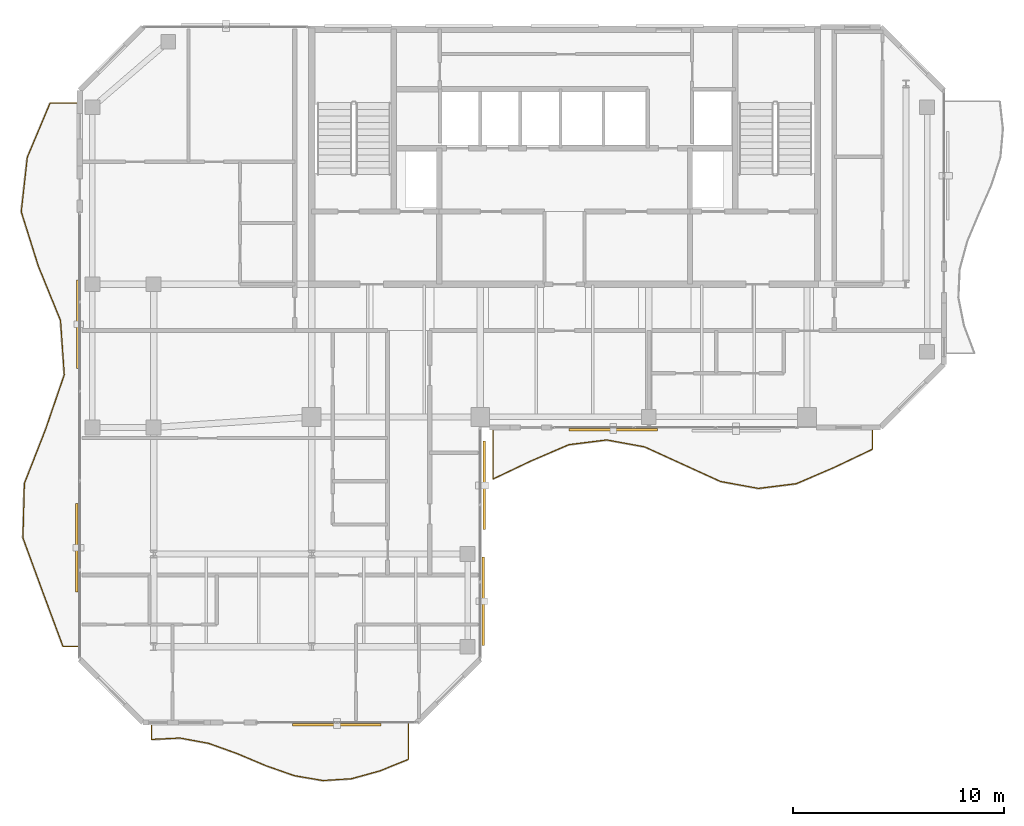
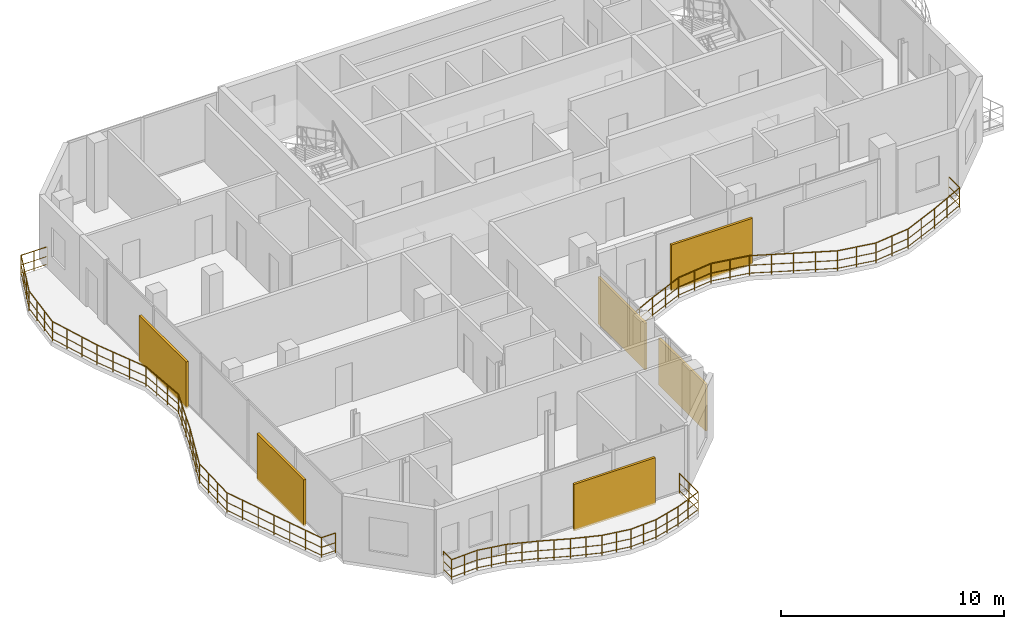
# One storey, part 21 of 23: 6 shading devices, 3 railings.
"""IFC4 building model written with IfcOpenShell, lengths in metres."""

from ifc_helpers import new_model, si_unit, direction, frame, origin, origin_2d, place, context, subcontext, project, spatial, rectangle, circle, extrude, material, type_object, element, save


model = new_model("IFC4")

# Units and contexts
model_context = context("Model", 3, precision=1e-05, world=origin(), true_north=direction((0.0, 1.0)))
body_context = subcontext(model_context, "Body", "Model", "MODEL_VIEW")
ifc_project = project(units=[si_unit("LENGTHUNIT", "METRE"), si_unit("AREAUNIT", "SQUARE_METRE"), si_unit("VOLUMEUNIT", "CUBIC_METRE"), si_unit("PLANEANGLEUNIT", "RADIAN"), si_unit("MASSUNIT", "GRAM", prefix="KILO")], contexts=[model_context])

# Site, building, storey
site_placement = place(None, origin())
site = spatial("IfcSite", under=ifc_project, at=site_placement, CompositionType="ELEMENT")
building_placement = place(site_placement, origin())
building = spatial("IfcBuilding", under=site, at=building_placement, Name="Catumbela Crestline Tower", CompositionType="ELEMENT")
storey_placement = place(building_placement, frame((0.0, 0.0, 252.6)))
storey = spatial("IfcBuildingStorey", under=building, at=storey_placement, Name="L65", CompositionType="ELEMENT", Elevation=252.6)

# Railings
ifc_material_1 = material(Name="Stainless steel EN 1.4401", Category="steel")
railing_type = type_object("IfcRailingType", Name="RB-1100", PredefinedType="BALUSTRADE", material=ifc_material_1)
railing_1_placement = place(storey_placement, frame((24.6, 23.94, 0.0)))
element("IfcRailing", 1, at=railing_1_placement, inside=storey, type_object=railing_type, Name="L65 Private Wave Balcony Balustrade 1", PredefinedType="BALUSTRADE", context=body_context, shape_type="SweptSolid", body=[
    extrude(circle(Radius=0.024, at=origin_2d()), frame((0.0, 0.0, 1.076), z_axis=(0.0, -1.0, 0.0), x_axis=(1.0, 0.0, 0.0)), (0.0, 0.0, 1.0), 2.3853),
    extrude(circle(Radius=0.0156, at=origin_2d()), frame((0.0, 0.0, 0.55), z_axis=(0.0, -1.0, 0.0), x_axis=(1.0, 0.0, 0.0)), (0.0, 0.0, 1.0), 2.3853),
    extrude(circle(Radius=0.0156, at=origin_2d()), frame((0.0, 0.0, 0.12), z_axis=(0.0, -1.0, 0.0), x_axis=(1.0, 0.0, 0.0)), (0.0, 0.0, 1.0), 2.3853),
    extrude(circle(Radius=0.024, at=origin_2d()), frame((0.0, -2.3853, 1.076), z_axis=(0.903141340366, 0.429343358306, 0.0), x_axis=(-0.429343358306, 0.903141340366, 0.0)), (0.0, 0.0, 1.0), 1.993),
    extrude(circle(Radius=0.0156, at=origin_2d()), frame((0.0, -2.3853, 0.55), z_axis=(0.903141340366, 0.429343358306, 0.0), x_axis=(-0.429343358306, 0.903141340366, 0.0)), (0.0, 0.0, 1.0), 1.993),
    extrude(circle(Radius=0.0156, at=origin_2d()), frame((0.0, -2.3853, 0.12), z_axis=(0.903141340366, 0.429343358306, 0.0), x_axis=(-0.429343358306, 0.903141340366, 0.0)), (0.0, 0.0, 1.0), 1.993),
    extrude(circle(Radius=0.024, at=origin_2d()), frame((1.8, -1.5296, 1.076), z_axis=(0.91863214227, 0.395113891414, 0.0), x_axis=(-0.395113891414, 0.91863214227, 0.0)), (0.0, 0.0, 1.0), 1.9594),
    extrude(circle(Radius=0.0156, at=origin_2d()), frame((1.8, -1.5296, 0.55), z_axis=(0.91863214227, 0.395113891414, 0.0), x_axis=(-0.395113891414, 0.91863214227, 0.0)), (0.0, 0.0, 1.0), 1.9594),
    extrude(circle(Radius=0.0156, at=origin_2d()), frame((1.8, -1.5296, 0.12), z_axis=(0.91863214227, 0.395113891414, 0.0), x_axis=(-0.395113891414, 0.91863214227, 0.0)), (0.0, 0.0, 1.0), 1.9594),
    extrude(circle(Radius=0.024, at=origin_2d()), frame((3.6, -0.7554, 1.076), z_axis=(0.992250714481, 0.124251839469, 0.0), x_axis=(-0.124251839469, 0.992250714481, 0.0)), (0.0, 0.0, 1.0), 1.8141),
    extrude(circle(Radius=0.0156, at=origin_2d()), frame((3.6, -0.7554, 0.55), z_axis=(0.992250714481, 0.124251839469, 0.0), x_axis=(-0.124251839469, 0.992250714481, 0.0)), (0.0, 0.0, 1.0), 1.8141),
    extrude(circle(Radius=0.0156, at=origin_2d()), frame((3.6, -0.7554, 0.12), z_axis=(0.992250714481, 0.124251839469, 0.0), x_axis=(-0.124251839469, 0.992250714481, 0.0)), (0.0, 0.0, 1.0), 1.8141),
    extrude(circle(Radius=0.024, at=origin_2d()), frame((5.4, -0.53, 1.076), z_axis=(0.983751645667, -0.179534675334, 0.0), x_axis=(0.179534675334, 0.983751645667, 0.0)), (0.0, 0.0, 1.0), 1.8297),
    extrude(circle(Radius=0.0156, at=origin_2d()), frame((5.4, -0.53, 0.55), z_axis=(0.983751645667, -0.179534675334, 0.0), x_axis=(0.179534675334, 0.983751645667, 0.0)), (0.0, 0.0, 1.0), 1.8297),
    extrude(circle(Radius=0.0156, at=origin_2d()), frame((5.4, -0.53, 0.12), z_axis=(0.983751645667, -0.179534675334, 0.0), x_axis=(0.179534675334, 0.983751645667, 0.0)), (0.0, 0.0, 1.0), 1.8297),
    extrude(circle(Radius=0.024, at=origin_2d()), frame((7.2, -0.8585, 1.076), z_axis=(0.909733657009, -0.415192332907, 0.0), x_axis=(0.415192332907, 0.909733657009, 0.0)), (0.0, 0.0, 1.0), 1.9786),
    extrude(circle(Radius=0.0156, at=origin_2d()), frame((7.2, -0.8585, 0.55), z_axis=(0.909733657009, -0.415192332907, 0.0), x_axis=(0.415192332907, 0.909733657009, 0.0)), (0.0, 0.0, 1.0), 1.9786),
    extrude(circle(Radius=0.0156, at=origin_2d()), frame((7.2, -0.8585, 0.12), z_axis=(0.909733657009, -0.415192332907, 0.0), x_axis=(0.415192332907, 0.909733657009, 0.0)), (0.0, 0.0, 1.0), 1.9786),
    extrude(circle(Radius=0.024, at=origin_2d()), frame((9.0, -1.68, 1.076), z_axis=(0.909733657009, -0.415192332907, 0.0), x_axis=(0.415192332907, 0.909733657009, 0.0)), (0.0, 0.0, 1.0), 1.9786),
    extrude(circle(Radius=0.0156, at=origin_2d()), frame((9.0, -1.68, 0.55), z_axis=(0.909733657009, -0.415192332907, 0.0), x_axis=(0.415192332907, 0.909733657009, 0.0)), (0.0, 0.0, 1.0), 1.9786),
    extrude(circle(Radius=0.0156, at=origin_2d()), frame((9.0, -1.68, 0.12), z_axis=(0.909733657009, -0.415192332907, 0.0), x_axis=(0.415192332907, 0.909733657009, 0.0)), (0.0, 0.0, 1.0), 1.9786),
    extrude(circle(Radius=0.024, at=origin_2d()), frame((10.8, -2.5015, 1.076), z_axis=(0.983751645667, -0.179534675334, 0.0), x_axis=(0.179534675334, 0.983751645667, 0.0)), (0.0, 0.0, 1.0), 1.8297),
    extrude(circle(Radius=0.0156, at=origin_2d()), frame((10.8, -2.5015, 0.55), z_axis=(0.983751645667, -0.179534675334, 0.0), x_axis=(0.179534675334, 0.983751645667, 0.0)), (0.0, 0.0, 1.0), 1.8297),
    extrude(circle(Radius=0.0156, at=origin_2d()), frame((10.8, -2.5015, 0.12), z_axis=(0.983751645667, -0.179534675334, 0.0), x_axis=(0.179534675334, 0.983751645667, 0.0)), (0.0, 0.0, 1.0), 1.8297),
    extrude(circle(Radius=0.024, at=origin_2d()), frame((12.6, -2.83, 1.076), z_axis=(0.992250714481, 0.124251839469, 0.0), x_axis=(-0.124251839469, 0.992250714481, 0.0)), (0.0, 0.0, 1.0), 1.8141),
    extrude(circle(Radius=0.0156, at=origin_2d()), frame((12.6, -2.83, 0.55), z_axis=(0.992250714481, 0.124251839469, 0.0), x_axis=(-0.124251839469, 0.992250714481, 0.0)), (0.0, 0.0, 1.0), 1.8141),
    extrude(circle(Radius=0.0156, at=origin_2d()), frame((12.6, -2.83, 0.12), z_axis=(0.992250714481, 0.124251839469, 0.0), x_axis=(-0.124251839469, 0.992250714481, 0.0)), (0.0, 0.0, 1.0), 1.8141),
    extrude(circle(Radius=0.024, at=origin_2d()), frame((14.4, -2.6046, 1.076), z_axis=(0.91863214227, 0.395113891414, 0.0), x_axis=(-0.395113891414, 0.91863214227, 0.0)), (0.0, 0.0, 1.0), 1.9594),
    extrude(circle(Radius=0.0156, at=origin_2d()), frame((14.4, -2.6046, 0.55), z_axis=(0.91863214227, 0.395113891414, 0.0), x_axis=(-0.395113891414, 0.91863214227, 0.0)), (0.0, 0.0, 1.0), 1.9594),
    extrude(circle(Radius=0.0156, at=origin_2d()), frame((14.4, -2.6046, 0.12), z_axis=(0.91863214227, 0.395113891414, 0.0), x_axis=(-0.395113891414, 0.91863214227, 0.0)), (0.0, 0.0, 1.0), 1.9594),
    extrude(circle(Radius=0.024, at=origin_2d()), frame((16.2, -1.8304, 1.076), z_axis=(0.903141340366, 0.429343358306, 0.0), x_axis=(-0.429343358306, 0.903141340366, 0.0)), (0.0, 0.0, 1.0), 1.993),
    extrude(circle(Radius=0.0156, at=origin_2d()), frame((16.2, -1.8304, 0.55), z_axis=(0.903141340366, 0.429343358306, 0.0), x_axis=(-0.429343358306, 0.903141340366, 0.0)), (0.0, 0.0, 1.0), 1.993),
    extrude(circle(Radius=0.0156, at=origin_2d()), frame((16.2, -1.8304, 0.12), z_axis=(0.903141340366, 0.429343358306, 0.0), x_axis=(-0.429343358306, 0.903141340366, 0.0)), (0.0, 0.0, 1.0), 1.993),
    extrude(circle(Radius=0.024, at=origin_2d()), frame((18.0, -0.9747, 1.076), z_axis=(0.0, 1.0, 0.0), x_axis=(-1.0, 0.0, 0.0)), (0.0, 0.0, 1.0), 0.9747),
    extrude(circle(Radius=0.0156, at=origin_2d()), frame((18.0, -0.9747, 0.55), z_axis=(0.0, 1.0, 0.0), x_axis=(-1.0, 0.0, 0.0)), (0.0, 0.0, 1.0), 0.9747),
    extrude(circle(Radius=0.0156, at=origin_2d()), frame((18.0, -0.9747, 0.12), z_axis=(0.0, 1.0, 0.0), x_axis=(-1.0, 0.0, 0.0)), (0.0, 0.0, 1.0), 0.9747),
    extrude(circle(Radius=0.021, at=origin_2d()), origin(), (0.0, 0.0, 1.0), 1.052),
    extrude(circle(Radius=0.021, at=origin_2d()), frame((0.0, -1.1927, 0.0)), (0.0, 0.0, 1.0), 1.052),
    extrude(circle(Radius=0.021, at=origin_2d()), frame((0.0, -2.3853, 0.0)), (0.0, 0.0, 1.0), 1.052),
    extrude(circle(Radius=0.021, at=origin_2d()), frame((0.9, -1.9575, 0.0)), (0.0, 0.0, 1.0), 1.052),
    extrude(circle(Radius=0.021, at=origin_2d()), frame((1.8, -1.5296, 0.0)), (0.0, 0.0, 1.0), 1.052),
    extrude(circle(Radius=0.021, at=origin_2d()), frame((2.7, -1.1425, 0.0)), (0.0, 0.0, 1.0), 1.052),
    extrude(circle(Radius=0.021, at=origin_2d()), frame((3.6, -0.7554, 0.0)), (0.0, 0.0, 1.0), 1.052),
    extrude(circle(Radius=0.021, at=origin_2d()), frame((4.5, -0.6427, 0.0)), (0.0, 0.0, 1.0), 1.052),
    extrude(circle(Radius=0.021, at=origin_2d()), frame((5.4, -0.53, 0.0)), (0.0, 0.0, 1.0), 1.052),
    extrude(circle(Radius=0.021, at=origin_2d()), frame((6.3, -0.6943, 0.0)), (0.0, 0.0, 1.0), 1.052),
    extrude(circle(Radius=0.021, at=origin_2d()), frame((7.2, -0.8585, 0.0)), (0.0, 0.0, 1.0), 1.052),
    extrude(circle(Radius=0.021, at=origin_2d()), frame((8.1, -1.2693, 0.0)), (0.0, 0.0, 1.0), 1.052),
    extrude(circle(Radius=0.021, at=origin_2d()), frame((9.0, -1.68, 0.0)), (0.0, 0.0, 1.0), 1.052),
    extrude(circle(Radius=0.021, at=origin_2d()), frame((9.9, -2.0908, 0.0)), (0.0, 0.0, 1.0), 1.052),
    extrude(circle(Radius=0.021, at=origin_2d()), frame((10.8, -2.5015, 0.0)), (0.0, 0.0, 1.0), 1.052),
    extrude(circle(Radius=0.021, at=origin_2d()), frame((11.7, -2.6658, 0.0)), (0.0, 0.0, 1.0), 1.052),
    extrude(circle(Radius=0.021, at=origin_2d()), frame((12.6, -2.83, 0.0)), (0.0, 0.0, 1.0), 1.052),
    extrude(circle(Radius=0.021, at=origin_2d()), frame((13.5, -2.7173, 0.0)), (0.0, 0.0, 1.0), 1.052),
    extrude(circle(Radius=0.021, at=origin_2d()), frame((14.4, -2.6046, 0.0)), (0.0, 0.0, 1.0), 1.052),
    extrude(circle(Radius=0.021, at=origin_2d()), frame((15.3, -2.2175, 0.0)), (0.0, 0.0, 1.0), 1.052),
    extrude(circle(Radius=0.021, at=origin_2d()), frame((16.2, -1.8304, 0.0)), (0.0, 0.0, 1.0), 1.052),
    extrude(circle(Radius=0.021, at=origin_2d()), frame((17.1, -1.4026, 0.0)), (0.0, 0.0, 1.0), 1.052),
    extrude(circle(Radius=0.021, at=origin_2d()), frame((18.0, -0.9747, 0.0)), (0.0, 0.0, 1.0), 1.052),
    extrude(circle(Radius=0.021, at=origin_2d()), frame((18.0, 0.0, 0.0)), (0.0, 0.0, 1.0), 1.052),
])
railing_2_placement = place(storey_placement, frame((8.4, 9.94, 0.0)))
element("IfcRailing", 2, at=railing_2_placement, inside=storey, type_object=railing_type, Name="L65 Private Wave Balcony Balustrade 3", PredefinedType="BALUSTRADE", context=body_context, shape_type="SweptSolid", body=[
    extrude(circle(Radius=0.024, at=origin_2d()), frame((0.0, 0.0, 1.076), z_axis=(0.0, -1.0, 0.0), x_axis=(1.0, 0.0, 0.0)), (0.0, 0.0, 1.0), 0.7402),
    extrude(circle(Radius=0.0156, at=origin_2d()), frame((0.0, 0.0, 0.55), z_axis=(0.0, -1.0, 0.0), x_axis=(1.0, 0.0, 0.0)), (0.0, 0.0, 1.0), 0.7402),
    extrude(circle(Radius=0.0156, at=origin_2d()), frame((0.0, 0.0, 0.12), z_axis=(0.0, -1.0, 0.0), x_axis=(1.0, 0.0, 0.0)), (0.0, 0.0, 1.0), 0.7402),
    extrude(circle(Radius=0.024, at=origin_2d()), frame((0.0, -0.7402, 1.076), z_axis=(0.998827606628, 0.048408803301, 0.0), x_axis=(-0.048408803301, 0.998827606628, 0.0)), (0.0, 0.0, 1.0), 1.3572),
    extrude(circle(Radius=0.0156, at=origin_2d()), frame((0.0, -0.7402, 0.55), z_axis=(0.998827606628, 0.048408803301, 0.0), x_axis=(-0.048408803301, 0.998827606628, 0.0)), (0.0, 0.0, 1.0), 1.3572),
    extrude(circle(Radius=0.0156, at=origin_2d()), frame((0.0, -0.7402, 0.12), z_axis=(0.998827606628, 0.048408803301, 0.0), x_axis=(-0.048408803301, 0.998827606628, 0.0)), (0.0, 0.0, 1.0), 1.3572),
    extrude(circle(Radius=0.024, at=origin_2d()), frame((1.3556, -0.6745, 1.076), z_axis=(0.983426986136, -0.181304613674, 0.0), x_axis=(0.181304613674, 0.983426986136, 0.0)), (0.0, 0.0, 1.0), 1.3783),
    extrude(circle(Radius=0.0156, at=origin_2d()), frame((1.3556, -0.6745, 0.55), z_axis=(0.983426986136, -0.181304613674, 0.0), x_axis=(0.181304613674, 0.983426986136, 0.0)), (0.0, 0.0, 1.0), 1.3783),
    extrude(circle(Radius=0.0156, at=origin_2d()), frame((1.3556, -0.6745, 0.12), z_axis=(0.983426986136, -0.181304613674, 0.0), x_axis=(0.181304613674, 0.983426986136, 0.0)), (0.0, 0.0, 1.0), 1.3783),
    extrude(circle(Radius=0.024, at=origin_2d()), frame((2.7111, -0.9244, 1.076), z_axis=(0.941111996888, -0.33809497085, 0.0), x_axis=(0.33809497085, 0.941111996888, 0.0)), (0.0, 0.0, 1.0), 1.4404),
    extrude(circle(Radius=0.0156, at=origin_2d()), frame((2.7111, -0.9244, 0.55), z_axis=(0.941111996888, -0.33809497085, 0.0), x_axis=(0.33809497085, 0.941111996888, 0.0)), (0.0, 0.0, 1.0), 1.4404),
    extrude(circle(Radius=0.0156, at=origin_2d()), frame((2.7111, -0.9244, 0.12), z_axis=(0.941111996888, -0.33809497085, 0.0), x_axis=(0.33809497085, 0.941111996888, 0.0)), (0.0, 0.0, 1.0), 1.4404),
    extrude(circle(Radius=0.024, at=origin_2d()), frame((4.0667, -1.4114, 1.076), z_axis=(0.921498393666, -0.388382170639, 0.0), x_axis=(0.388382170639, 0.921498393666, 0.0)), (0.0, 0.0, 1.0), 1.471),
    extrude(circle(Radius=0.0156, at=origin_2d()), frame((4.0667, -1.4114, 0.55), z_axis=(0.921498393666, -0.388382170639, 0.0), x_axis=(0.388382170639, 0.921498393666, 0.0)), (0.0, 0.0, 1.0), 1.471),
    extrude(circle(Radius=0.0156, at=origin_2d()), frame((4.0667, -1.4114, 0.12), z_axis=(0.921498393666, -0.388382170639, 0.0), x_axis=(0.388382170639, 0.921498393666, 0.0)), (0.0, 0.0, 1.0), 1.471),
    extrude(circle(Radius=0.024, at=origin_2d()), frame((5.4222, -1.9827, 1.076), z_axis=(0.943436606936, -0.33155296514, 0.0), x_axis=(0.33155296514, 0.943436606936, 0.0)), (0.0, 0.0, 1.0), 1.4369),
    extrude(circle(Radius=0.0156, at=origin_2d()), frame((5.4222, -1.9827, 0.55), z_axis=(0.943436606936, -0.33155296514, 0.0), x_axis=(0.33155296514, 0.943436606936, 0.0)), (0.0, 0.0, 1.0), 1.4369),
    extrude(circle(Radius=0.0156, at=origin_2d()), frame((5.4222, -1.9827, 0.12), z_axis=(0.943436606936, -0.33155296514, 0.0), x_axis=(0.33155296514, 0.943436606936, 0.0)), (0.0, 0.0, 1.0), 1.4369),
    extrude(circle(Radius=0.024, at=origin_2d()), frame((6.7778, -2.4591, 1.076), z_axis=(0.98569137239, -0.168560132881, 0.0), x_axis=(0.168560132881, 0.98569137239, 0.0)), (0.0, 0.0, 1.0), 1.3752),
    extrude(circle(Radius=0.0156, at=origin_2d()), frame((6.7778, -2.4591, 0.55), z_axis=(0.98569137239, -0.168560132881, 0.0), x_axis=(0.168560132881, 0.98569137239, 0.0)), (0.0, 0.0, 1.0), 1.3752),
    extrude(circle(Radius=0.0156, at=origin_2d()), frame((6.7778, -2.4591, 0.12), z_axis=(0.98569137239, -0.168560132881, 0.0), x_axis=(0.168560132881, 0.98569137239, 0.0)), (0.0, 0.0, 1.0), 1.3752),
    extrude(circle(Radius=0.024, at=origin_2d()), frame((8.1333, -2.6909, 1.076), z_axis=(0.998016894863, 0.06294662475, 0.0), x_axis=(-0.06294662475, 0.998016894863, 0.0)), (0.0, 0.0, 1.0), 1.3583),
    extrude(circle(Radius=0.0156, at=origin_2d()), frame((8.1333, -2.6909, 0.55), z_axis=(0.998016894863, 0.06294662475, 0.0), x_axis=(-0.06294662475, 0.998016894863, 0.0)), (0.0, 0.0, 1.0), 1.3583),
    extrude(circle(Radius=0.0156, at=origin_2d()), frame((8.1333, -2.6909, 0.12), z_axis=(0.998016894863, 0.06294662475, 0.0), x_axis=(-0.06294662475, 0.998016894863, 0.0)), (0.0, 0.0, 1.0), 1.3583),
    extrude(circle(Radius=0.024, at=origin_2d()), frame((9.4889, -2.6054, 1.076), z_axis=(0.963651214601, 0.267163501621, 0.0), x_axis=(-0.267163501621, 0.963651214601, 0.0)), (0.0, 0.0, 1.0), 1.4066),
    extrude(circle(Radius=0.0156, at=origin_2d()), frame((9.4889, -2.6054, 0.55), z_axis=(0.963651214601, 0.267163501621, 0.0), x_axis=(-0.267163501621, 0.963651214601, 0.0)), (0.0, 0.0, 1.0), 1.4066),
    extrude(circle(Radius=0.0156, at=origin_2d()), frame((9.4889, -2.6054, 0.12), z_axis=(0.963651214601, 0.267163501621, 0.0), x_axis=(-0.267163501621, 0.963651214601, 0.0)), (0.0, 0.0, 1.0), 1.4066),
    extrude(circle(Radius=0.024, at=origin_2d()), frame((10.8444, -2.2296, 1.076), z_axis=(0.927017013268, 0.375019275654, 0.0), x_axis=(-0.375019275654, 0.927017013268, 0.0)), (0.0, 0.0, 1.0), 1.4623),
    extrude(circle(Radius=0.0156, at=origin_2d()), frame((10.8444, -2.2296, 0.55), z_axis=(0.927017013268, 0.375019275654, 0.0), x_axis=(-0.375019275654, 0.927017013268, 0.0)), (0.0, 0.0, 1.0), 1.4623),
    extrude(circle(Radius=0.0156, at=origin_2d()), frame((10.8444, -2.2296, 0.12), z_axis=(0.927017013268, 0.375019275654, 0.0), x_axis=(-0.375019275654, 0.927017013268, 0.0)), (0.0, 0.0, 1.0), 1.4623),
    extrude(circle(Radius=0.024, at=origin_2d()), frame((12.2, -1.6812, 1.076), z_axis=(0.0, 1.0, 0.0), x_axis=(-1.0, 0.0, 0.0)), (0.0, 0.0, 1.0), 1.6812),
    extrude(circle(Radius=0.0156, at=origin_2d()), frame((12.2, -1.6812, 0.55), z_axis=(0.0, 1.0, 0.0), x_axis=(-1.0, 0.0, 0.0)), (0.0, 0.0, 1.0), 1.6812),
    extrude(circle(Radius=0.0156, at=origin_2d()), frame((12.2, -1.6812, 0.12), z_axis=(0.0, 1.0, 0.0), x_axis=(-1.0, 0.0, 0.0)), (0.0, 0.0, 1.0), 1.6812),
    extrude(circle(Radius=0.021, at=origin_2d()), origin(), (0.0, 0.0, 1.0), 1.052),
    extrude(circle(Radius=0.021, at=origin_2d()), frame((0.0, -0.7402, 0.0)), (0.0, 0.0, 1.0), 1.052),
    extrude(circle(Radius=0.021, at=origin_2d()), frame((0.6778, -0.7073, 0.0)), (0.0, 0.0, 1.0), 1.052),
    extrude(circle(Radius=0.021, at=origin_2d()), frame((1.3556, -0.6745, 0.0)), (0.0, 0.0, 1.0), 1.052),
    extrude(circle(Radius=0.021, at=origin_2d()), frame((2.0333, -0.7995, 0.0)), (0.0, 0.0, 1.0), 1.052),
    extrude(circle(Radius=0.021, at=origin_2d()), frame((2.7111, -0.9244, 0.0)), (0.0, 0.0, 1.0), 1.052),
    extrude(circle(Radius=0.021, at=origin_2d()), frame((3.3889, -1.1679, 0.0)), (0.0, 0.0, 1.0), 1.052),
    extrude(circle(Radius=0.021, at=origin_2d()), frame((4.0667, -1.4114, 0.0)), (0.0, 0.0, 1.0), 1.052),
    extrude(circle(Radius=0.021, at=origin_2d()), frame((4.7444, -1.697, 0.0)), (0.0, 0.0, 1.0), 1.052),
    extrude(circle(Radius=0.021, at=origin_2d()), frame((5.4222, -1.9827, 0.0)), (0.0, 0.0, 1.0), 1.052),
    extrude(circle(Radius=0.021, at=origin_2d()), frame((6.1, -2.2209, 0.0)), (0.0, 0.0, 1.0), 1.052),
    extrude(circle(Radius=0.021, at=origin_2d()), frame((6.7778, -2.4591, 0.0)), (0.0, 0.0, 1.0), 1.052),
    extrude(circle(Radius=0.021, at=origin_2d()), frame((7.4556, -2.575, 0.0)), (0.0, 0.0, 1.0), 1.052),
    extrude(circle(Radius=0.021, at=origin_2d()), frame((8.1333, -2.6909, 0.0)), (0.0, 0.0, 1.0), 1.052),
    extrude(circle(Radius=0.021, at=origin_2d()), frame((8.8111, -2.6481, 0.0)), (0.0, 0.0, 1.0), 1.052),
    extrude(circle(Radius=0.021, at=origin_2d()), frame((9.4889, -2.6054, 0.0)), (0.0, 0.0, 1.0), 1.052),
    extrude(circle(Radius=0.021, at=origin_2d()), frame((10.1666, -2.4175, 0.0)), (0.0, 0.0, 1.0), 1.052),
    extrude(circle(Radius=0.021, at=origin_2d()), frame((10.8444, -2.2296, 0.0)), (0.0, 0.0, 1.0), 1.052),
    extrude(circle(Radius=0.021, at=origin_2d()), frame((11.5222, -1.9554, 0.0)), (0.0, 0.0, 1.0), 1.052),
    extrude(circle(Radius=0.021, at=origin_2d()), frame((12.2, -1.6812, 0.0)), (0.0, 0.0, 1.0), 1.052),
    extrude(circle(Radius=0.021, at=origin_2d()), frame((12.2, -0.8406, 0.0)), (0.0, 0.0, 1.0), 1.052),
    extrude(circle(Radius=0.021, at=origin_2d()), frame((12.2, 0.0, 0.0)), (0.0, 0.0, 1.0), 1.052),
])
railing_3_placement = place(storey_placement, frame((4.94, 39.4, 0.0)))
element("IfcRailing", 3, at=railing_3_placement, inside=storey, type_object=railing_type, Name="L65 Private Wave Balcony Balustrade 4", PredefinedType="BALUSTRADE", context=body_context, shape_type="SweptSolid", body=[
    extrude(circle(Radius=0.024, at=origin_2d()), frame((0.0, 0.0, 1.076), z_axis=(-1.0, 0.0, 0.0), x_axis=(0.0, -1.0, 0.0)), (0.0, 0.0, 1.0), 1.3481),
    extrude(circle(Radius=0.0156, at=origin_2d()), frame((0.0, 0.0, 0.55), z_axis=(-1.0, 0.0, 0.0), x_axis=(0.0, -1.0, 0.0)), (0.0, 0.0, 1.0), 1.3481),
    extrude(circle(Radius=0.0156, at=origin_2d()), frame((0.0, 0.0, 0.12), z_axis=(-1.0, 0.0, 0.0), x_axis=(0.0, -1.0, 0.0)), (0.0, 0.0, 1.0), 1.3481),
    extrude(circle(Radius=0.024, at=origin_2d()), frame((-1.3481, 0.0, 1.076), z_axis=(-0.386867867141, -0.922135160036, 0.0), x_axis=(0.922135160036, -0.386867867141, 0.0)), (0.0, 0.0, 1.0), 2.7979),
    extrude(circle(Radius=0.0156, at=origin_2d()), frame((-1.3481, 0.0, 0.55), z_axis=(-0.386867867141, -0.922135160036, 0.0), x_axis=(0.922135160036, -0.386867867141, 0.0)), (0.0, 0.0, 1.0), 2.7979),
    extrude(circle(Radius=0.0156, at=origin_2d()), frame((-1.3481, 0.0, 0.12), z_axis=(-0.386867867141, -0.922135160036, 0.0), x_axis=(0.922135160036, -0.386867867141, 0.0)), (0.0, 0.0, 1.0), 2.7979),
    extrude(circle(Radius=0.024, at=origin_2d()), frame((-2.4305, -2.58, 1.076), z_axis=(-0.110938854007, -0.993827233815, 0.0), x_axis=(0.993827233815, -0.110938854007, 0.0)), (0.0, 0.0, 1.0), 2.596),
    extrude(circle(Radius=0.0156, at=origin_2d()), frame((-2.4305, -2.58, 0.55), z_axis=(-0.110938854007, -0.993827233815, 0.0), x_axis=(0.993827233815, -0.110938854007, 0.0)), (0.0, 0.0, 1.0), 2.596),
    extrude(circle(Radius=0.0156, at=origin_2d()), frame((-2.4305, -2.58, 0.12), z_axis=(-0.110938854007, -0.993827233815, 0.0), x_axis=(0.993827233815, -0.110938854007, 0.0)), (0.0, 0.0, 1.0), 2.596),
    extrude(circle(Radius=0.024, at=origin_2d()), frame((-2.7185, -5.16, 1.076), z_axis=(0.300009265038, -0.953936287648, 0.0), x_axis=(0.953936287648, 0.300009265038, 0.0)), (0.0, 0.0, 1.0), 2.7046),
    extrude(circle(Radius=0.0156, at=origin_2d()), frame((-2.7185, -5.16, 0.55), z_axis=(0.300009265038, -0.953936287648, 0.0), x_axis=(0.953936287648, 0.300009265038, 0.0)), (0.0, 0.0, 1.0), 2.7046),
    extrude(circle(Radius=0.0156, at=origin_2d()), frame((-2.7185, -5.16, 0.12), z_axis=(0.300009265038, -0.953936287648, 0.0), x_axis=(0.953936287648, 0.300009265038, 0.0)), (0.0, 0.0, 1.0), 2.7046),
    extrude(circle(Radius=0.024, at=origin_2d()), frame((-1.9071, -7.74, 1.076), z_axis=(0.37750893405, -0.92600594205, 0.0), x_axis=(0.92600594205, 0.37750893405, 0.0)), (0.0, 0.0, 1.0), 2.7862),
    extrude(circle(Radius=0.0156, at=origin_2d()), frame((-1.9071, -7.74, 0.55), z_axis=(0.37750893405, -0.92600594205, 0.0), x_axis=(0.92600594205, 0.37750893405, 0.0)), (0.0, 0.0, 1.0), 2.7862),
    extrude(circle(Radius=0.0156, at=origin_2d()), frame((-1.9071, -7.74, 0.12), z_axis=(0.37750893405, -0.92600594205, 0.0), x_axis=(0.92600594205, 0.37750893405, 0.0)), (0.0, 0.0, 1.0), 2.7862),
    extrude(circle(Radius=0.024, at=origin_2d()), frame((-0.8553, -10.32, 1.076), z_axis=(0.069136499634, -0.997607209486, 0.0), x_axis=(0.997607209486, 0.069136499634, 0.0)), (0.0, 0.0, 1.0), 2.5862),
    extrude(circle(Radius=0.0156, at=origin_2d()), frame((-0.8553, -10.32, 0.55), z_axis=(0.069136499634, -0.997607209486, 0.0), x_axis=(0.997607209486, 0.069136499634, 0.0)), (0.0, 0.0, 1.0), 2.5862),
    extrude(circle(Radius=0.0156, at=origin_2d()), frame((-0.8553, -10.32, 0.12), z_axis=(0.069136499634, -0.997607209486, 0.0), x_axis=(0.997607209486, 0.069136499634, 0.0)), (0.0, 0.0, 1.0), 2.5862),
    extrude(circle(Radius=0.024, at=origin_2d()), frame((-0.6765, -12.9, 1.076), z_axis=(-0.32397274328, -0.946066415011, 0.0), x_axis=(0.946066415011, -0.32397274328, 0.0)), (0.0, 0.0, 1.0), 2.7271),
    extrude(circle(Radius=0.0156, at=origin_2d()), frame((-0.6765, -12.9, 0.55), z_axis=(-0.32397274328, -0.946066415011, 0.0), x_axis=(0.946066415011, -0.32397274328, 0.0)), (0.0, 0.0, 1.0), 2.7271),
    extrude(circle(Radius=0.0156, at=origin_2d()), frame((-0.6765, -12.9, 0.12), z_axis=(-0.32397274328, -0.946066415011, 0.0), x_axis=(0.946066415011, -0.32397274328, 0.0)), (0.0, 0.0, 1.0), 2.7271),
    extrude(circle(Radius=0.024, at=origin_2d()), frame((-1.56, -15.48, 1.076), z_axis=(-0.364691898217, -0.931128250766, 0.0), x_axis=(0.931128250766, -0.364691898217, 0.0)), (0.0, 0.0, 1.0), 2.7708),
    extrude(circle(Radius=0.0156, at=origin_2d()), frame((-1.56, -15.48, 0.55), z_axis=(-0.364691898217, -0.931128250766, 0.0), x_axis=(0.931128250766, -0.364691898217, 0.0)), (0.0, 0.0, 1.0), 2.7708),
    extrude(circle(Radius=0.0156, at=origin_2d()), frame((-1.56, -15.48, 0.12), z_axis=(-0.364691898217, -0.931128250766, 0.0), x_axis=(0.931128250766, -0.364691898217, 0.0)), (0.0, 0.0, 1.0), 2.7708),
    extrude(circle(Radius=0.024, at=origin_2d()), frame((-2.5705, -18.06, 1.076), z_axis=(-0.02627000044, -0.999654883986, 0.0), x_axis=(0.999654883986, -0.02627000044, 0.0)), (0.0, 0.0, 1.0), 2.5809),
    extrude(circle(Radius=0.0156, at=origin_2d()), frame((-2.5705, -18.06, 0.55), z_axis=(-0.02627000044, -0.999654883986, 0.0), x_axis=(0.999654883986, -0.02627000044, 0.0)), (0.0, 0.0, 1.0), 2.5809),
    extrude(circle(Radius=0.0156, at=origin_2d()), frame((-2.5705, -18.06, 0.12), z_axis=(-0.02627000044, -0.999654883986, 0.0), x_axis=(0.999654883986, -0.02627000044, 0.0)), (0.0, 0.0, 1.0), 2.5809),
    extrude(circle(Radius=0.024, at=origin_2d()), frame((-2.6383, -20.64, 1.076), z_axis=(0.344447094642, -0.938805730166, 0.0), x_axis=(0.938805730166, 0.344447094642, 0.0)), (0.0, 0.0, 1.0), 2.7482),
    extrude(circle(Radius=0.0156, at=origin_2d()), frame((-2.6383, -20.64, 0.55), z_axis=(0.344447094642, -0.938805730166, 0.0), x_axis=(0.938805730166, 0.344447094642, 0.0)), (0.0, 0.0, 1.0), 2.7482),
    extrude(circle(Radius=0.0156, at=origin_2d()), frame((-2.6383, -20.64, 0.12), z_axis=(0.344447094642, -0.938805730166, 0.0), x_axis=(0.938805730166, 0.344447094642, 0.0)), (0.0, 0.0, 1.0), 2.7482),
    extrude(circle(Radius=0.024, at=origin_2d()), frame((-1.6917, -23.22, 1.076), z_axis=(0.348414565572, -0.937340541371, 0.0), x_axis=(0.937340541371, 0.348414565572, 0.0)), (0.0, 0.0, 1.0), 2.7525),
    extrude(circle(Radius=0.0156, at=origin_2d()), frame((-1.6917, -23.22, 0.55), z_axis=(0.348414565572, -0.937340541371, 0.0), x_axis=(0.937340541371, 0.348414565572, 0.0)), (0.0, 0.0, 1.0), 2.7525),
    extrude(circle(Radius=0.0156, at=origin_2d()), frame((-1.6917, -23.22, 0.12), z_axis=(0.348414565572, -0.937340541371, 0.0), x_axis=(0.937340541371, 0.348414565572, 0.0)), (0.0, 0.0, 1.0), 2.7525),
    extrude(circle(Radius=0.024, at=origin_2d()), frame((-0.7327, -25.8, 1.076), z_axis=(1.0, 0.0, 0.0), x_axis=(0.0, 1.0, 0.0)), (0.0, 0.0, 1.0), 0.7327),
    extrude(circle(Radius=0.0156, at=origin_2d()), frame((-0.7327, -25.8, 0.55), z_axis=(1.0, 0.0, 0.0), x_axis=(0.0, 1.0, 0.0)), (0.0, 0.0, 1.0), 0.7327),
    extrude(circle(Radius=0.0156, at=origin_2d()), frame((-0.7327, -25.8, 0.12), z_axis=(1.0, 0.0, 0.0), x_axis=(0.0, 1.0, 0.0)), (0.0, 0.0, 1.0), 0.7327),
    extrude(circle(Radius=0.021, at=origin_2d()), origin(), (0.0, 0.0, 1.0), 1.052),
    extrude(circle(Radius=0.021, at=origin_2d()), frame((-0.6741, 0.0, 0.0)), (0.0, 0.0, 1.0), 1.052),
    extrude(circle(Radius=0.021, at=origin_2d()), frame((-1.3481, 0.0, 0.0)), (0.0, 0.0, 1.0), 1.052),
    extrude(circle(Radius=0.021, at=origin_2d()), frame((-1.7089, -0.86, 0.0)), (0.0, 0.0, 1.0), 1.052),
    extrude(circle(Radius=0.021, at=origin_2d()), frame((-2.0697, -1.72, 0.0)), (0.0, 0.0, 1.0), 1.052),
    extrude(circle(Radius=0.021, at=origin_2d()), frame((-2.4305, -2.58, 0.0)), (0.0, 0.0, 1.0), 1.052),
    extrude(circle(Radius=0.021, at=origin_2d()), frame((-2.5265, -3.44, 0.0)), (0.0, 0.0, 1.0), 1.052),
    extrude(circle(Radius=0.021, at=origin_2d()), frame((-2.6225, -4.3, 0.0)), (0.0, 0.0, 1.0), 1.052),
    extrude(circle(Radius=0.021, at=origin_2d()), frame((-2.7185, -5.16, 0.0)), (0.0, 0.0, 1.0), 1.052),
    extrude(circle(Radius=0.021, at=origin_2d()), frame((-2.448, -6.02, 0.0)), (0.0, 0.0, 1.0), 1.052),
    extrude(circle(Radius=0.021, at=origin_2d()), frame((-2.1776, -6.88, 0.0)), (0.0, 0.0, 1.0), 1.052),
    extrude(circle(Radius=0.021, at=origin_2d()), frame((-1.9071, -7.74, 0.0)), (0.0, 0.0, 1.0), 1.052),
    extrude(circle(Radius=0.021, at=origin_2d()), frame((-1.5565, -8.6, 0.0)), (0.0, 0.0, 1.0), 1.052),
    extrude(circle(Radius=0.021, at=origin_2d()), frame((-1.2059, -9.46, 0.0)), (0.0, 0.0, 1.0), 1.052),
    extrude(circle(Radius=0.021, at=origin_2d()), frame((-0.8553, -10.32, 0.0)), (0.0, 0.0, 1.0), 1.052),
    extrude(circle(Radius=0.021, at=origin_2d()), frame((-0.7957, -11.18, 0.0)), (0.0, 0.0, 1.0), 1.052),
    extrude(circle(Radius=0.021, at=origin_2d()), frame((-0.7361, -12.04, 0.0)), (0.0, 0.0, 1.0), 1.052),
    extrude(circle(Radius=0.021, at=origin_2d()), frame((-0.6765, -12.9, 0.0)), (0.0, 0.0, 1.0), 1.052),
    extrude(circle(Radius=0.021, at=origin_2d()), frame((-0.971, -13.76, 0.0)), (0.0, 0.0, 1.0), 1.052),
    extrude(circle(Radius=0.021, at=origin_2d()), frame((-1.2655, -14.62, 0.0)), (0.0, 0.0, 1.0), 1.052),
    extrude(circle(Radius=0.021, at=origin_2d()), frame((-1.56, -15.48, 0.0)), (0.0, 0.0, 1.0), 1.052),
    extrude(circle(Radius=0.021, at=origin_2d()), frame((-1.8968, -16.34, 0.0)), (0.0, 0.0, 1.0), 1.052),
    extrude(circle(Radius=0.021, at=origin_2d()), frame((-2.2337, -17.2, 0.0)), (0.0, 0.0, 1.0), 1.052),
    extrude(circle(Radius=0.021, at=origin_2d()), frame((-2.5705, -18.06, 0.0)), (0.0, 0.0, 1.0), 1.052),
    extrude(circle(Radius=0.021, at=origin_2d()), frame((-2.5931, -18.92, 0.0)), (0.0, 0.0, 1.0), 1.052),
    extrude(circle(Radius=0.021, at=origin_2d()), frame((-2.6157, -19.78, 0.0)), (0.0, 0.0, 1.0), 1.052),
    extrude(circle(Radius=0.021, at=origin_2d()), frame((-2.6383, -20.64, 0.0)), (0.0, 0.0, 1.0), 1.052),
    extrude(circle(Radius=0.021, at=origin_2d()), frame((-2.3228, -21.5, 0.0)), (0.0, 0.0, 1.0), 1.052),
    extrude(circle(Radius=0.021, at=origin_2d()), frame((-2.0072, -22.36, 0.0)), (0.0, 0.0, 1.0), 1.052),
    extrude(circle(Radius=0.021, at=origin_2d()), frame((-1.6917, -23.22, 0.0)), (0.0, 0.0, 1.0), 1.052),
    extrude(circle(Radius=0.021, at=origin_2d()), frame((-1.372, -24.08, 0.0)), (0.0, 0.0, 1.0), 1.052),
    extrude(circle(Radius=0.021, at=origin_2d()), frame((-1.0524, -24.94, 0.0)), (0.0, 0.0, 1.0), 1.052),
    extrude(circle(Radius=0.021, at=origin_2d()), frame((-0.7327, -25.8, 0.0)), (0.0, 0.0, 1.0), 1.052),
    extrude(circle(Radius=0.021, at=origin_2d()), frame((0.0, -25.8, 0.0)), (0.0, 0.0, 1.0), 1.052),
])

# Shading devices
ifc_material_2 = material(Name="Extruded terracotta ceramic", Category="masonry")
shading_device_type_1 = type_object("IfcShadingDeviceType", Name="ST-180", PredefinedType="USERDEFINED", material=ifc_material_2)
for number, where, z_axis, x_axis, name in (
    (4, (17.2, 9.901, -0.1), (0.0, 0.0, 1.0), (1.0, 0.0, 0.0), "L65 Perforated Terracotta Solar Screen 787 (180 mm)"),
    (5, (30.3125, 23.901, -0.1), (0.0, 0.0, 1.0), (1.0, 0.0, 0.0), "L65 Perforated Terracotta Solar Screen 790 (180 mm)"),
    (6, (4.901, 28.9, -0.1), (0.0, 0.0, 1.0), (0.0, -1.0, 0.0), "L65 Perforated Terracotta Solar Screen 794 (180 mm)"),
):
    element("IfcShadingDevice", number, at=place(storey_placement, frame(where, z_axis=z_axis, x_axis=x_axis)), inside=storey, type_object=shading_device_type_1, Name=name, ObjectType="SCREEN", PredefinedType="USERDEFINED", context=body_context, shape_type="SweptSolid", body=[
        extrude(rectangle(XDim=4.2, YDim=0.12, at=origin_2d()), origin(), (0.0, 0.0, 1.0), 2.55),
    ])
shading_device_type_2 = type_object("IfcShadingDeviceType", Name="ST-260", PredefinedType="USERDEFINED", material=ifc_material_2)
for number, where, z_axis, x_axis, name in (
    (7, (24.143, 15.75, -0.1), (0.0, 0.0, 1.0), (0.0, 1.0, 0.0), "L65 Perforated Terracotta Solar Screen 788 (260 mm)"),
    (8, (4.857, 18.3, -0.1), (0.0, 0.0, 1.0), (0.0, -1.0, 0.0), "L65 Perforated Terracotta Solar Screen 795 (260 mm)"),
):
    element("IfcShadingDevice", number, at=place(storey_placement, frame(where, z_axis=z_axis, x_axis=x_axis)), inside=storey, type_object=shading_device_type_2, Name=name, ObjectType="SCREEN", PredefinedType="USERDEFINED", context=body_context, shape_type="SweptSolid", body=[
        extrude(rectangle(XDim=4.2, YDim=0.12, at=origin_2d()), origin(), (0.0, 0.0, 1.0), 2.55),
    ])
shading_device_type_3 = type_object("IfcShadingDeviceType", Name="ST-340", PredefinedType="USERDEFINED", material=ifc_material_2)
shading_device_placement = place(storey_placement, frame((24.187, 21.25, -0.1), z_axis=(0.0, 0.0, 1.0), x_axis=(0.0, 1.0, 0.0)))
element("IfcShadingDevice", 9, at=shading_device_placement, inside=storey, type_object=shading_device_type_3, Name="L65 Perforated Terracotta Solar Screen 789 (340 mm)", ObjectType="SCREEN", PredefinedType="USERDEFINED", context=body_context, shape_type="SweptSolid", body=[
    extrude(rectangle(XDim=4.2, YDim=0.12, at=origin_2d()), origin(), (0.0, 0.0, 1.0), 2.55),
])

save(model, "model.ifc")
